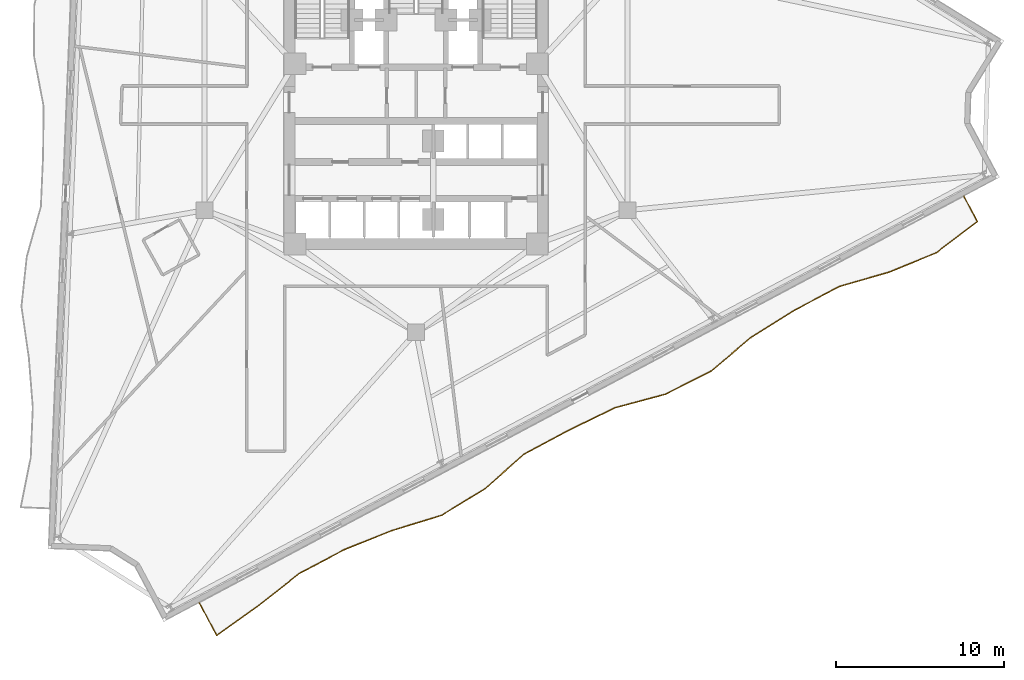
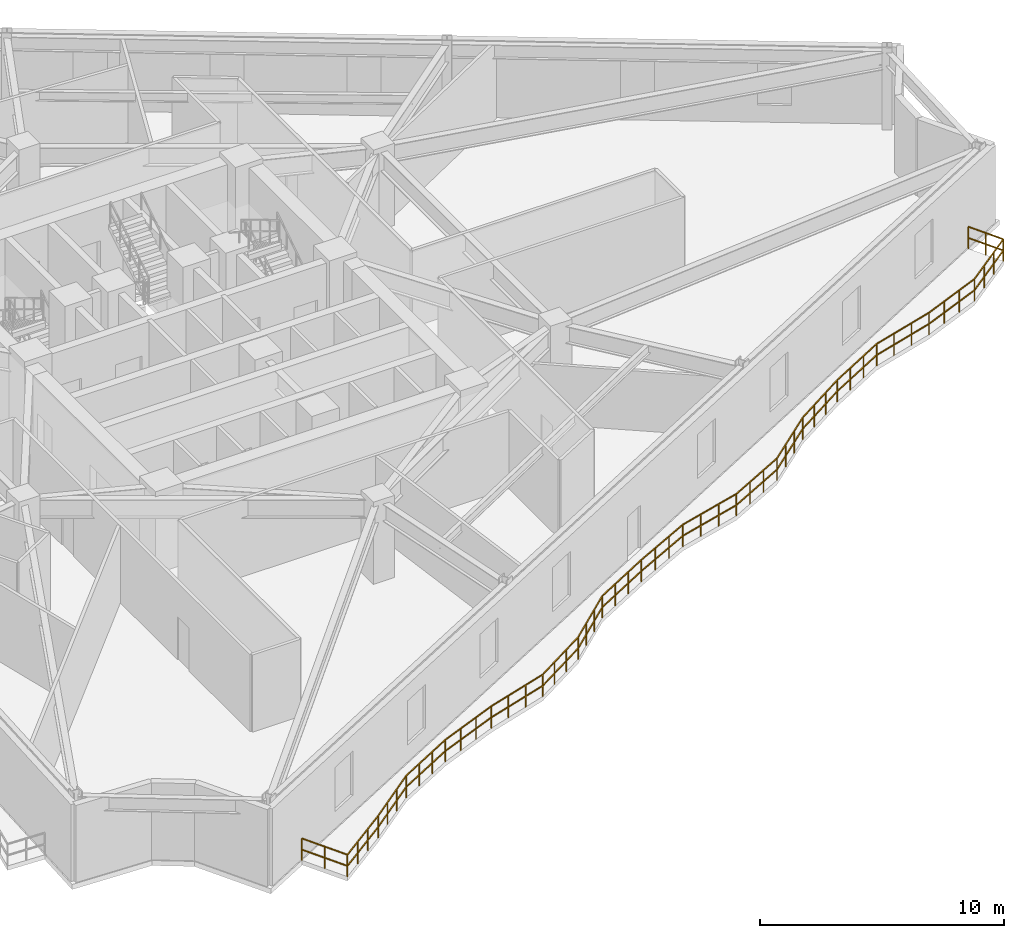
# One storey, part 9 of 11: 1 railing.
"""IFC4 building model written with IfcOpenShell, lengths in metres."""

from ifc_helpers import new_model, si_unit, direction, frame, origin, origin_2d, place, context, subcontext, project, spatial, rectangle, extrude, material, type_object, element, save


model = new_model("IFC4")

# Units and contexts
model_context = context("Model", 3, precision=1e-05, world=origin(), true_north=direction((0.0, 1.0)))
body_context = subcontext(model_context, "Body", "Model", "MODEL_VIEW")
ifc_project = project(units=[si_unit("LENGTHUNIT", "METRE"), si_unit("AREAUNIT", "SQUARE_METRE"), si_unit("VOLUMEUNIT", "CUBIC_METRE"), si_unit("PLANEANGLEUNIT", "RADIAN"), si_unit("MASSUNIT", "GRAM", prefix="KILO")], contexts=[model_context])

# Site, building, storey
site_placement = place(None, origin())
site = spatial("IfcSite", under=ifc_project, at=site_placement, CompositionType="ELEMENT")
building_placement = place(site_placement, origin())
building = spatial("IfcBuilding", under=site, at=building_placement, Name="Apsidion Concourse Tower", CompositionType="ELEMENT")
storey_placement = place(building_placement, frame((0.0, 0.0, 169.60009765625)))
storey = spatial("IfcBuildingStorey", under=building, at=storey_placement, Name="L39", CompositionType="ELEMENT", Elevation=169.60009765625)

# Railing
ifc_material = material(Name="Brushed stainless steel 316", Category="steel")
railing_type = type_object("IfcRailingType", Name="RL-BAL-1120", PredefinedType="BALUSTRADE", material=ifc_material)
railing_placement = place(storey_placement, frame((32.549560546875, -6.426025390625, 0.0)))
element("IfcRailing", 1, at=railing_placement, inside=storey, type_object=railing_type, Name="L39 Face 2 Rippling Balcony Balustrade", PredefinedType="BALUSTRADE", context=body_context, shape_type="SweptSolid", body=[
    extrude(rectangle(XDim=0.048095703125, YDim=0.048095703125, at=origin_2d()), frame((0.0, 0.0, 1.09619140625), z_axis=(0.469373440451, -0.882999758437, 0.0), x_axis=(0.882999758437, 0.469373440451, 0.0)), (0.0, 0.0, 1.0), 1.6904296875),
    extrude(rectangle(XDim=0.048095703125, YDim=0.048095703125, at=origin_2d()), frame((0.0, 0.0, 0.5361328125), z_axis=(0.469373440451, -0.882999758437, 0.0), x_axis=(0.882999758437, 0.469373440451, 0.0)), (0.0, 0.0, 1.0), 1.6904296875),
    extrude(rectangle(XDim=0.048095703125, YDim=0.048095703125, at=origin_2d()), frame((0.79345703125, -1.49267578125, 1.09619140625), z_axis=(-0.79445497254, -0.607323057858, 0.0), x_axis=(0.607323057858, -0.79445497254, 0.0)), (0.0, 0.0, 1.0), 3.067138671875),
    extrude(rectangle(XDim=0.048095703125, YDim=0.048095703125, at=origin_2d()), frame((0.79345703125, -1.49267578125, 0.5361328125), z_axis=(-0.79445497254, -0.607323057858, 0.0), x_axis=(0.607323057858, -0.79445497254, 0.0)), (0.0, 0.0, 1.0), 3.067138671875),
    extrude(rectangle(XDim=0.048095703125, YDim=0.048095703125, at=origin_2d()), frame((-1.643310546875, -3.35546875, 1.09619140625), z_axis=(-0.925338383222, -0.379142290618, 0.0), x_axis=(0.379142290618, -0.925338383222, 0.0)), (0.0, 0.0, 1.0), 3.041259765625),
    extrude(rectangle(XDim=0.048095703125, YDim=0.048095703125, at=origin_2d()), frame((-1.643310546875, -3.35546875, 0.5361328125), z_axis=(-0.925338383222, -0.379142290618, 0.0), x_axis=(0.379142290618, -0.925338383222, 0.0)), (0.0, 0.0, 1.0), 3.041259765625),
    extrude(rectangle(XDim=0.048095703125, YDim=0.048095703125, at=origin_2d()), frame((-4.45751953125, -4.508544921875, 1.09619140625), z_axis=(-0.960805802385, -0.277222311697, 0.0), x_axis=(0.277222311697, -0.960805802385, 0.0)), (0.0, 0.0, 1.0), 3.093017578125),
    extrude(rectangle(XDim=0.048095703125, YDim=0.048095703125, at=origin_2d()), frame((-4.45751953125, -4.508544921875, 0.5361328125), z_axis=(-0.960805802385, -0.277222311697, 0.0), x_axis=(0.277222311697, -0.960805802385, 0.0)), (0.0, 0.0, 1.0), 3.093017578125),
    extrude(rectangle(XDim=0.048095703125, YDim=0.048095703125, at=origin_2d()), frame((-7.42919921875, -5.365966796875, 1.09619140625), z_axis=(-0.88294852993, -0.469469800408, 0.0), x_axis=(0.469469800408, -0.88294852993, 0.0)), (0.0, 0.0, 1.0), 3.026123046875),
    extrude(rectangle(XDim=0.048095703125, YDim=0.048095703125, at=origin_2d()), frame((-7.42919921875, -5.365966796875, 0.5361328125), z_axis=(-0.88294852993, -0.469469800408, 0.0), x_axis=(0.469469800408, -0.88294852993, 0.0)), (0.0, 0.0, 1.0), 3.026123046875),
    extrude(rectangle(XDim=0.048095703125, YDim=0.048095703125, at=origin_2d()), frame((-10.10107421875, -6.78662109375, 1.09619140625), z_axis=(-0.846571285759, -0.53227535931, 0.0), x_axis=(0.53227535931, -0.846571285759, 0.0)), (0.0, 0.0, 1.0), 3.0341796875),
    extrude(rectangle(XDim=0.048095703125, YDim=0.048095703125, at=origin_2d()), frame((-10.10107421875, -6.78662109375, 0.5361328125), z_axis=(-0.846571285759, -0.53227535931, 0.0), x_axis=(0.53227535931, -0.846571285759, 0.0)), (0.0, 0.0, 1.0), 3.0341796875),
    extrude(rectangle(XDim=0.048095703125, YDim=0.048095703125, at=origin_2d()), frame((-12.669677734375, -8.401611328125, 1.09619140625), z_axis=(-0.764978695805, -0.644055583754, 0.0), x_axis=(0.644055583754, -0.764978695805, 0.0)), (0.0, 0.0, 1.0), 3.094970703125),
    extrude(rectangle(XDim=0.048095703125, YDim=0.048095703125, at=origin_2d()), frame((-12.669677734375, -8.401611328125, 0.5361328125), z_axis=(-0.764978695805, -0.644055583754, 0.0), x_axis=(0.644055583754, -0.764978695805, 0.0)), (0.0, 0.0, 1.0), 3.094970703125),
    extrude(rectangle(XDim=0.048095703125, YDim=0.048095703125, at=origin_2d()), frame((-15.037353515625, -10.39501953125, 1.09619140625), z_axis=(-0.892694345898, -0.450662628583, 0.0), x_axis=(0.450662628583, -0.892694345898, 0.0)), (0.0, 0.0, 1.0), 3.026611328125),
    extrude(rectangle(XDim=0.048095703125, YDim=0.048095703125, at=origin_2d()), frame((-15.037353515625, -10.39501953125, 0.5361328125), z_axis=(-0.892694345898, -0.450662628583, 0.0), x_axis=(0.450662628583, -0.892694345898, 0.0)), (0.0, 0.0, 1.0), 3.026611328125),
    extrude(rectangle(XDim=0.048095703125, YDim=0.048095703125, at=origin_2d()), frame((-17.7392578125, -11.759033203125, 1.09619140625), z_axis=(-0.965758320452, -0.259443378174, 0.0), x_axis=(0.259443378174, -0.965758320452, 0.0)), (0.0, 0.0, 1.0), 3.10546875),
    extrude(rectangle(XDim=0.048095703125, YDim=0.048095703125, at=origin_2d()), frame((-17.7392578125, -11.759033203125, 0.5361328125), z_axis=(-0.965758320452, -0.259443378174, 0.0), x_axis=(0.259443378174, -0.965758320452, 0.0)), (0.0, 0.0, 1.0), 3.10546875),
    extrude(rectangle(XDim=0.048095703125, YDim=0.048095703125, at=origin_2d()), frame((-20.73828125, -12.564697265625, 1.09619140625), z_axis=(-0.89911762072, -0.437707098538, 0.0), x_axis=(0.437707098538, -0.89911762072, 0.0)), (0.0, 0.0, 1.0), 3.028076171875),
    extrude(rectangle(XDim=0.048095703125, YDim=0.048095703125, at=origin_2d()), frame((-20.73828125, -12.564697265625, 0.5361328125), z_axis=(-0.89911762072, -0.437707098538, 0.0), x_axis=(0.437707098538, -0.89911762072, 0.0)), (0.0, 0.0, 1.0), 3.028076171875),
    extrude(rectangle(XDim=0.048095703125, YDim=0.048095703125, at=origin_2d()), frame((-23.4609375, -13.89013671875, 1.09619140625), z_axis=(-0.881590281152, -0.472015440613, 0.0), x_axis=(0.472015440613, -0.881590281152, 0.0)), (0.0, 0.0, 1.0), 3.0263671875),
    extrude(rectangle(XDim=0.048095703125, YDim=0.048095703125, at=origin_2d()), frame((-23.4609375, -13.89013671875, 0.5361328125), z_axis=(-0.881590281152, -0.472015440613, 0.0), x_axis=(0.472015440613, -0.881590281152, 0.0)), (0.0, 0.0, 1.0), 3.0263671875),
    extrude(rectangle(XDim=0.048095703125, YDim=0.048095703125, at=origin_2d()), frame((-26.12890625, -15.318603515625, 1.09619140625), z_axis=(-0.749945486895, -0.661499634683, 0.0), x_axis=(0.661499634683, -0.749945486895, 0.0)), (0.0, 0.0, 1.0), 3.11083984375),
    extrude(rectangle(XDim=0.048095703125, YDim=0.048095703125, at=origin_2d()), frame((-26.12890625, -15.318603515625, 0.5361328125), z_axis=(-0.749945486895, -0.661499634683, 0.0), x_axis=(0.661499634683, -0.749945486895, 0.0)), (0.0, 0.0, 1.0), 3.11083984375),
    extrude(rectangle(XDim=0.048095703125, YDim=0.048095703125, at=origin_2d()), frame((-28.4619140625, -17.37646484375, 1.09619140625), z_axis=(-0.853142457893, -0.521678010405, 0.0), x_axis=(0.521678010405, -0.853142457893, 0.0)), (0.0, 0.0, 1.0), 3.03173828125),
    extrude(rectangle(XDim=0.048095703125, YDim=0.048095703125, at=origin_2d()), frame((-28.4619140625, -17.37646484375, 0.5361328125), z_axis=(-0.853142457893, -0.521678010405, 0.0), x_axis=(0.521678010405, -0.853142457893, 0.0)), (0.0, 0.0, 1.0), 3.03173828125),
    extrude(rectangle(XDim=0.048095703125, YDim=0.048095703125, at=origin_2d()), frame((-31.04833984375, -18.9580078125, 1.09619140625), z_axis=(-0.956071375572, -0.293133970756, 0.0), x_axis=(0.293133970756, -0.956071375572, 0.0)), (0.0, 0.0, 1.0), 3.08251953125),
    extrude(rectangle(XDim=0.048095703125, YDim=0.048095703125, at=origin_2d()), frame((-31.04833984375, -18.9580078125, 0.5361328125), z_axis=(-0.956071375572, -0.293133970756, 0.0), x_axis=(0.293133970756, -0.956071375572, 0.0)), (0.0, 0.0, 1.0), 3.08251953125),
    extrude(rectangle(XDim=0.048095703125, YDim=0.048095703125, at=origin_2d()), frame((-33.995361328125, -19.861572265625, 1.09619140625), z_axis=(-0.928233105409, -0.371999061858, 0.0), x_axis=(0.371999061858, -0.928233105409, 0.0)), (0.0, 0.0, 1.0), 3.0439453125),
    extrude(rectangle(XDim=0.048095703125, YDim=0.048095703125, at=origin_2d()), frame((-33.995361328125, -19.861572265625, 0.5361328125), z_axis=(-0.928233105409, -0.371999061858, 0.0), x_axis=(0.371999061858, -0.928233105409, 0.0)), (0.0, 0.0, 1.0), 3.0439453125),
    extrude(rectangle(XDim=0.048095703125, YDim=0.048095703125, at=origin_2d()), frame((-36.82080078125, -20.993896484375, 1.09619140625), z_axis=(-0.88294852993, -0.469469800408, 0.0), x_axis=(0.469469800408, -0.88294852993, 0.0)), (0.0, 0.0, 1.0), 3.026123046875),
    extrude(rectangle(XDim=0.048095703125, YDim=0.048095703125, at=origin_2d()), frame((-36.82080078125, -20.993896484375, 0.5361328125), z_axis=(-0.88294852993, -0.469469800408, 0.0), x_axis=(0.469469800408, -0.88294852993, 0.0)), (0.0, 0.0, 1.0), 3.026123046875),
    extrude(rectangle(XDim=0.048095703125, YDim=0.048095703125, at=origin_2d()), frame((-39.49267578125, -22.41455078125, 1.09619140625), z_axis=(-0.78628527244, -0.6178636341, 0.0), x_axis=(0.6178636341, -0.78628527244, 0.0)), (0.0, 0.0, 1.0), 3.074462890625),
    extrude(rectangle(XDim=0.048095703125, YDim=0.048095703125, at=origin_2d()), frame((-39.49267578125, -22.41455078125, 0.5361328125), z_axis=(-0.78628527244, -0.6178636341, 0.0), x_axis=(0.6178636341, -0.78628527244, 0.0)), (0.0, 0.0, 1.0), 3.074462890625),
    extrude(rectangle(XDim=0.048095703125, YDim=0.048095703125, at=origin_2d()), frame((-41.91015625, -24.314208984375, 1.09619140625), z_axis=(-0.812402395787, -0.583097202291, 0.0), x_axis=(0.583097202291, -0.812402395787, 0.0)), (0.0, 0.0, 1.0), 3.053466796875),
    extrude(rectangle(XDim=0.048095703125, YDim=0.048095703125, at=origin_2d()), frame((-41.91015625, -24.314208984375, 0.5361328125), z_axis=(-0.812402395787, -0.583097202291, 0.0), x_axis=(0.583097202291, -0.812402395787, 0.0)), (0.0, 0.0, 1.0), 3.053466796875),
    extrude(rectangle(XDim=0.048095703125, YDim=0.048095703125, at=origin_2d()), frame((-44.390869140625, -26.0947265625, 1.09619140625), z_axis=(-0.4694473164, 0.882960484464, 0.0), x_axis=(-0.882960484464, -0.4694473164, 0.0)), (0.0, 0.0, 1.0), 2.199951171875),
    extrude(rectangle(XDim=0.048095703125, YDim=0.048095703125, at=origin_2d()), frame((-44.390869140625, -26.0947265625, 0.5361328125), z_axis=(-0.4694473164, 0.882960484464, 0.0), x_axis=(-0.882960484464, -0.4694473164, 0.0)), (0.0, 0.0, 1.0), 2.199951171875),
    extrude(rectangle(XDim=0.0419921875, YDim=0.0419921875, at=origin_2d()), origin(), (0.0, 0.0, 1.0), 1.072021484375),
    extrude(rectangle(XDim=0.0419921875, YDim=0.0419921875, at=origin_2d()), frame((0.396728515625, -0.746337890625, 0.0)), (0.0, 0.0, 1.0), 1.072021484375),
    extrude(rectangle(XDim=0.0419921875, YDim=0.0419921875, at=origin_2d()), frame((0.79345703125, -1.49267578125, 0.0)), (0.0, 0.0, 1.0), 1.072021484375),
    extrude(rectangle(XDim=0.0419921875, YDim=0.0419921875, at=origin_2d()), frame((-0.018798828125, -2.113525390625, 0.0)), (0.0, 0.0, 1.0), 1.072021484375),
    extrude(rectangle(XDim=0.0419921875, YDim=0.0419921875, at=origin_2d()), frame((-0.8310546875, -2.734619140625, 0.0)), (0.0, 0.0, 1.0), 1.072021484375),
    extrude(rectangle(XDim=0.0419921875, YDim=0.0419921875, at=origin_2d()), frame((-1.643310546875, -3.35546875, 0.0)), (0.0, 0.0, 1.0), 1.072021484375),
    extrude(rectangle(XDim=0.0419921875, YDim=0.0419921875, at=origin_2d()), frame((-2.581298828125, -3.73974609375, 0.0)), (0.0, 0.0, 1.0), 1.072021484375),
    extrude(rectangle(XDim=0.0419921875, YDim=0.0419921875, at=origin_2d()), frame((-3.51953125, -4.124267578125, 0.0)), (0.0, 0.0, 1.0), 1.072021484375),
    extrude(rectangle(XDim=0.0419921875, YDim=0.0419921875, at=origin_2d()), frame((-4.45751953125, -4.508544921875, 0.0)), (0.0, 0.0, 1.0), 1.072021484375),
    extrude(rectangle(XDim=0.0419921875, YDim=0.0419921875, at=origin_2d()), frame((-5.447998046875, -4.79443359375, 0.0)), (0.0, 0.0, 1.0), 1.072021484375),
    extrude(rectangle(XDim=0.0419921875, YDim=0.0419921875, at=origin_2d()), frame((-6.438720703125, -5.080078125, 0.0)), (0.0, 0.0, 1.0), 1.072021484375),
    extrude(rectangle(XDim=0.0419921875, YDim=0.0419921875, at=origin_2d()), frame((-7.42919921875, -5.365966796875, 0.0)), (0.0, 0.0, 1.0), 1.072021484375),
    extrude(rectangle(XDim=0.0419921875, YDim=0.0419921875, at=origin_2d()), frame((-8.31982421875, -5.839599609375, 0.0)), (0.0, 0.0, 1.0), 1.072021484375),
    extrude(rectangle(XDim=0.0419921875, YDim=0.0419921875, at=origin_2d()), frame((-9.21044921875, -6.31298828125, 0.0)), (0.0, 0.0, 1.0), 1.072021484375),
    extrude(rectangle(XDim=0.0419921875, YDim=0.0419921875, at=origin_2d()), frame((-10.10107421875, -6.78662109375, 0.0)), (0.0, 0.0, 1.0), 1.072021484375),
    extrude(rectangle(XDim=0.0419921875, YDim=0.0419921875, at=origin_2d()), frame((-10.957275390625, -7.324951171875, 0.0)), (0.0, 0.0, 1.0), 1.072021484375),
    extrude(rectangle(XDim=0.0419921875, YDim=0.0419921875, at=origin_2d()), frame((-11.8134765625, -7.86328125, 0.0)), (0.0, 0.0, 1.0), 1.072021484375),
    extrude(rectangle(XDim=0.0419921875, YDim=0.0419921875, at=origin_2d()), frame((-12.669677734375, -8.401611328125, 0.0)), (0.0, 0.0, 1.0), 1.072021484375),
    extrude(rectangle(XDim=0.0419921875, YDim=0.0419921875, at=origin_2d()), frame((-13.458984375, -9.066162109375, 0.0)), (0.0, 0.0, 1.0), 1.072021484375),
    extrude(rectangle(XDim=0.0419921875, YDim=0.0419921875, at=origin_2d()), frame((-14.248046875, -9.73046875, 0.0)), (0.0, 0.0, 1.0), 1.072021484375),
    extrude(rectangle(XDim=0.0419921875, YDim=0.0419921875, at=origin_2d()), frame((-15.037353515625, -10.39501953125, 0.0)), (0.0, 0.0, 1.0), 1.072021484375),
    extrude(rectangle(XDim=0.0419921875, YDim=0.0419921875, at=origin_2d()), frame((-15.93798828125, -10.849609375, 0.0)), (0.0, 0.0, 1.0), 1.072021484375),
    extrude(rectangle(XDim=0.0419921875, YDim=0.0419921875, at=origin_2d()), frame((-16.838623046875, -11.304443359375, 0.0)), (0.0, 0.0, 1.0), 1.072021484375),
    extrude(rectangle(XDim=0.0419921875, YDim=0.0419921875, at=origin_2d()), frame((-17.7392578125, -11.759033203125, 0.0)), (0.0, 0.0, 1.0), 1.072021484375),
    extrude(rectangle(XDim=0.0419921875, YDim=0.0419921875, at=origin_2d()), frame((-18.739013671875, -12.027587890625, 0.0)), (0.0, 0.0, 1.0), 1.072021484375),
    extrude(rectangle(XDim=0.0419921875, YDim=0.0419921875, at=origin_2d()), frame((-19.738525390625, -12.296142578125, 0.0)), (0.0, 0.0, 1.0), 1.072021484375),
    extrude(rectangle(XDim=0.0419921875, YDim=0.0419921875, at=origin_2d()), frame((-20.73828125, -12.564697265625, 0.0)), (0.0, 0.0, 1.0), 1.072021484375),
    extrude(rectangle(XDim=0.0419921875, YDim=0.0419921875, at=origin_2d()), frame((-21.645751953125, -13.006591796875, 0.0)), (0.0, 0.0, 1.0), 1.072021484375),
    extrude(rectangle(XDim=0.0419921875, YDim=0.0419921875, at=origin_2d()), frame((-22.553466796875, -13.4482421875, 0.0)), (0.0, 0.0, 1.0), 1.072021484375),
    extrude(rectangle(XDim=0.0419921875, YDim=0.0419921875, at=origin_2d()), frame((-23.4609375, -13.89013671875, 0.0)), (0.0, 0.0, 1.0), 1.072021484375),
    extrude(rectangle(XDim=0.0419921875, YDim=0.0419921875, at=origin_2d()), frame((-24.350341796875, -14.3662109375, 0.0)), (0.0, 0.0, 1.0), 1.072021484375),
    extrude(rectangle(XDim=0.0419921875, YDim=0.0419921875, at=origin_2d()), frame((-25.239501953125, -14.842529296875, 0.0)), (0.0, 0.0, 1.0), 1.072021484375),
    extrude(rectangle(XDim=0.0419921875, YDim=0.0419921875, at=origin_2d()), frame((-26.12890625, -15.318603515625, 0.0)), (0.0, 0.0, 1.0), 1.072021484375),
    extrude(rectangle(XDim=0.0419921875, YDim=0.0419921875, at=origin_2d()), frame((-26.906494140625, -16.004638671875, 0.0)), (0.0, 0.0, 1.0), 1.072021484375),
    extrude(rectangle(XDim=0.0419921875, YDim=0.0419921875, at=origin_2d()), frame((-27.684326171875, -16.6904296875, 0.0)), (0.0, 0.0, 1.0), 1.072021484375),
    extrude(rectangle(XDim=0.0419921875, YDim=0.0419921875, at=origin_2d()), frame((-28.4619140625, -17.37646484375, 0.0)), (0.0, 0.0, 1.0), 1.072021484375),
    extrude(rectangle(XDim=0.0419921875, YDim=0.0419921875, at=origin_2d()), frame((-29.323974609375, -17.903564453125, 0.0)), (0.0, 0.0, 1.0), 1.072021484375),
    extrude(rectangle(XDim=0.0419921875, YDim=0.0419921875, at=origin_2d()), frame((-30.186279296875, -18.430908203125, 0.0)), (0.0, 0.0, 1.0), 1.072021484375),
    extrude(rectangle(XDim=0.0419921875, YDim=0.0419921875, at=origin_2d()), frame((-31.04833984375, -18.9580078125, 0.0)), (0.0, 0.0, 1.0), 1.072021484375),
    extrude(rectangle(XDim=0.0419921875, YDim=0.0419921875, at=origin_2d()), frame((-32.03076171875, -19.25927734375, 0.0)), (0.0, 0.0, 1.0), 1.072021484375),
    extrude(rectangle(XDim=0.0419921875, YDim=0.0419921875, at=origin_2d()), frame((-33.012939453125, -19.560302734375, 0.0)), (0.0, 0.0, 1.0), 1.072021484375),
    extrude(rectangle(XDim=0.0419921875, YDim=0.0419921875, at=origin_2d()), frame((-33.995361328125, -19.861572265625, 0.0)), (0.0, 0.0, 1.0), 1.072021484375),
    extrude(rectangle(XDim=0.0419921875, YDim=0.0419921875, at=origin_2d()), frame((-34.937255859375, -20.239013671875, 0.0)), (0.0, 0.0, 1.0), 1.072021484375),
    extrude(rectangle(XDim=0.0419921875, YDim=0.0419921875, at=origin_2d()), frame((-35.87890625, -20.616455078125, 0.0)), (0.0, 0.0, 1.0), 1.072021484375),
    extrude(rectangle(XDim=0.0419921875, YDim=0.0419921875, at=origin_2d()), frame((-36.82080078125, -20.993896484375, 0.0)), (0.0, 0.0, 1.0), 1.072021484375),
    extrude(rectangle(XDim=0.0419921875, YDim=0.0419921875, at=origin_2d()), frame((-37.71142578125, -21.467529296875, 0.0)), (0.0, 0.0, 1.0), 1.072021484375),
    extrude(rectangle(XDim=0.0419921875, YDim=0.0419921875, at=origin_2d()), frame((-38.60205078125, -21.94091796875, 0.0)), (0.0, 0.0, 1.0), 1.072021484375),
    extrude(rectangle(XDim=0.0419921875, YDim=0.0419921875, at=origin_2d()), frame((-39.49267578125, -22.41455078125, 0.0)), (0.0, 0.0, 1.0), 1.072021484375),
    extrude(rectangle(XDim=0.0419921875, YDim=0.0419921875, at=origin_2d()), frame((-40.298583984375, -23.0478515625, 0.0)), (0.0, 0.0, 1.0), 1.072021484375),
    extrude(rectangle(XDim=0.0419921875, YDim=0.0419921875, at=origin_2d()), frame((-41.104248046875, -23.680908203125, 0.0)), (0.0, 0.0, 1.0), 1.072021484375),
    extrude(rectangle(XDim=0.0419921875, YDim=0.0419921875, at=origin_2d()), frame((-41.91015625, -24.314208984375, 0.0)), (0.0, 0.0, 1.0), 1.072021484375),
    extrude(rectangle(XDim=0.0419921875, YDim=0.0419921875, at=origin_2d()), frame((-42.737060546875, -24.90771484375, 0.0)), (0.0, 0.0, 1.0), 1.072021484375),
    extrude(rectangle(XDim=0.0419921875, YDim=0.0419921875, at=origin_2d()), frame((-43.56396484375, -25.501220703125, 0.0)), (0.0, 0.0, 1.0), 1.072021484375),
    extrude(rectangle(XDim=0.0419921875, YDim=0.0419921875, at=origin_2d()), frame((-44.390869140625, -26.0947265625, 0.0)), (0.0, 0.0, 1.0), 1.072021484375),
    extrude(rectangle(XDim=0.0419921875, YDim=0.0419921875, at=origin_2d()), frame((-44.9072265625, -25.12353515625, 0.0)), (0.0, 0.0, 1.0), 1.072021484375),
    extrude(rectangle(XDim=0.0419921875, YDim=0.0419921875, at=origin_2d()), frame((-45.423583984375, -24.15234375, 0.0)), (0.0, 0.0, 1.0), 1.072021484375),
])

save(model, "model.ifc")
